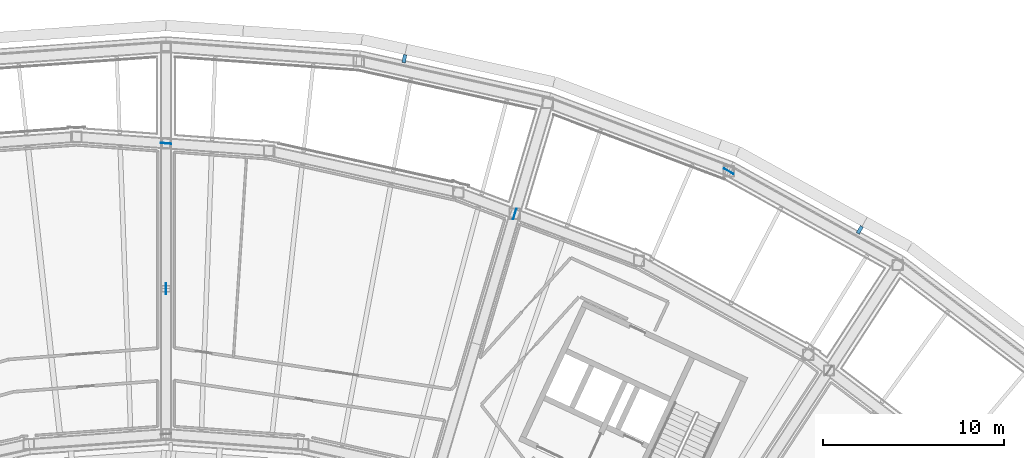
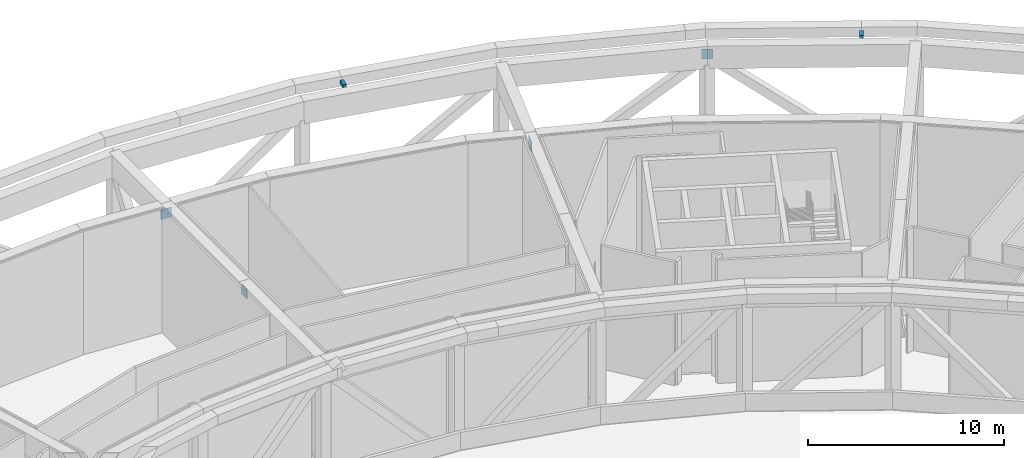
# One storey, part 20 of 27: 6 discrete accessories.
"""IFC4 building model written with IfcOpenShell, lengths in metres."""

import ifcopenshell
import ifcopenshell.guid

model = None  # the IFC model being written
_history = None  # IfcOwnerHistory: only IFC2X3 demands one
_inside = {}  # id of a spatial element -> (the spatial element, [elements in it])
_under = {}  # id of a project, library or spatial element -> (it, [spatial elements below it])
_declared = {}  # id of a project -> (the project, [libraries it declares])
_typed = {}  # id of a type object -> (the type object, [elements of that type])
_made_of = {}  # id of a material, layer set ... -> (it, [elements and type objects made of it])


def new_model(schema):
    """Start an empty IFC model of exactly this schema.

    Asked for "IFC4X3", IfcOpenShell would pick the latest addendum, in which some entities
    have other attributes; the version numbers below select the first issue.
    IFC2X3 requires an IfcOwnerHistory on every rooted entity: one is made here for all.
    """
    global model, _history
    if schema == "IFC4X3":
        model = ifcopenshell.file(schema_version=(4, 3, 0, 0))
    else:
        model = ifcopenshell.file(schema=schema)
    _inside.clear()
    _under.clear()
    _declared.clear()
    _typed.clear()
    _made_of.clear()
    _history = None
    if model.schema == "IFC2X3":
        org = make("IfcOrganization", Name="unknown")
        user = make(
            "IfcPersonAndOrganization",
            ThePerson=make("IfcPerson", FamilyName="unknown"),
            TheOrganization=org,
        )
        app = make(
            "IfcApplication",
            ApplicationDeveloper=org,
            Version="unknown",
            ApplicationFullName="unknown",
            ApplicationIdentifier="unknown",
        )
        _history = make(
            "IfcOwnerHistory",
            OwningUser=user,
            OwningApplication=app,
            ChangeAction="ADDED",
            CreationDate=0,
        )
    return model


def make(cls, **values):
    """One entity of the class cls with the attributes given. An attribute that is None is left unset."""
    return model.create_entity(
        cls, **{name: value for name, value in values.items() if value is not None}
    )


def rooted(cls, **values):
    """An entity with a GlobalId (a new one), such as an element, a storey or a relation."""
    return make(cls, GlobalId=ifcopenshell.guid.new(), OwnerHistory=_history, **values)


def si_unit(unit_type, name, prefix=None):
    """IfcSIUnit, for example si_unit("LENGTHUNIT", "METRE", prefix="MILLI")."""
    return make("IfcSIUnit", UnitType=unit_type, Prefix=prefix, Name=name)


def assignment(units):
    """IfcUnitAssignment: the units of a project."""
    return None if units is None else make("IfcUnitAssignment", Units=units)


def point(xyz):
    """IfcCartesianPoint."""
    return None if xyz is None else make("IfcCartesianPoint", Coordinates=xyz)


def direction(xyz):
    """IfcDirection."""
    return None if xyz is None else make("IfcDirection", DirectionRatios=xyz)


def frame(location, z_axis=None, x_axis=None):
    """IfcAxis2Placement3D, a coordinate frame: its origin and axes. An axis left out is left unset."""
    return make(
        "IfcAxis2Placement3D",
        Location=point(location),
        Axis=direction(z_axis),
        RefDirection=direction(x_axis),
    )


def frame_2d(location, x_axis=None):
    """IfcAxis2Placement2D, a coordinate frame in the plane: its origin and x axis."""
    return make(
        "IfcAxis2Placement2D", Location=point(location), RefDirection=direction(x_axis)
    )


def origin():
    """The frame at (0, 0, 0) with its axes left unset."""
    return frame((0.0, 0.0, 0.0))


def origin_2d():
    """The frame at (0, 0) in the plane with its x axis left unset."""
    return frame_2d((0.0, 0.0))


def place(relative_to, where):
    """IfcLocalPlacement: puts the frame where relative to a parent placement (None: the world)."""
    return make(
        "IfcLocalPlacement", PlacementRelTo=relative_to, RelativePlacement=where
    )


def context(
    kind, dimensions, precision=None, world=None, true_north=None, identifier=None
):
    """IfcGeometricRepresentationContext, for example the 3D "Model" context."""
    return make(
        "IfcGeometricRepresentationContext",
        ContextIdentifier=identifier,
        ContextType=kind,
        CoordinateSpaceDimension=dimensions,
        Precision=precision,
        WorldCoordinateSystem=world,
        TrueNorth=true_north,
    )


def subcontext(parent, identifier, kind, view, scale=None):
    """IfcGeometricRepresentationSubContext, for example "Body" below "Model"."""
    return make(
        "IfcGeometricRepresentationSubContext",
        ContextIdentifier=identifier,
        ContextType=kind,
        ParentContext=parent,
        TargetScale=scale,
        TargetView=view,
    )


def project(units=None, contexts=None):
    """IfcProject with its units and contexts."""
    return rooted(
        "IfcProject",
        Name="project",
        RepresentationContexts=contexts,
        UnitsInContext=assignment(units),
    )


def spatial(cls, under=None, at=None, **own):
    """A site, building, storey or space (cls), placed at a placement, below another one or the project."""
    s = rooted(cls, ObjectPlacement=at, **own)
    if under is not None:
        _under.setdefault(under.id(), (under, []))[1].append(s)
    return s


def profile(cls, at=None, kind="AREA", **sizes):
    """A parametric profile (cls). Its sizes go by their IFC names, for example OverallWidth=200.0."""
    return make(cls, ProfileType=kind, Position=at, **sizes)


def rectangle(**sizes):
    """IfcRectangleProfileDef."""
    return profile("IfcRectangleProfileDef", **sizes)


def extrude(swept, where, along, depth):
    """IfcExtrudedAreaSolid: the profile swept, set in the frame where, extruded along a direction by depth."""
    return make(
        "IfcExtrudedAreaSolid",
        SweptArea=swept,
        Position=where,
        ExtrudedDirection=direction(along),
        Depth=depth,
    )


def shape(context_of_items, identifier, shape_type, items):
    """IfcShapeRepresentation: the items that make up one representation, for example the "Body"."""
    return make(
        "IfcShapeRepresentation",
        ContextOfItems=context_of_items,
        RepresentationIdentifier=identifier,
        RepresentationType=shape_type,
        Items=items,
    )


def material(Name=None, Category=None):
    """IfcMaterial."""
    return make("IfcMaterial", Name=Name, Category=Category)


def made_of(thing, what):
    """Note that an element or type object is made of a material, layer set ...; save() writes the relation."""
    if what is not None:
        _made_of.setdefault(what.id(), (what, []))[1].append(thing)
    return thing


def type_object(cls, material=None, **own):
    """A type object (cls), such as IfcWallType, which elements share."""
    return made_of(rooted(cls, **own), material)


def element(
    cls,
    number,
    at=None,
    inside=None,
    cuts=None,
    type_object=None,
    material=None,
    context=None,
    identifier="Body",
    shape_type=None,
    held_by="IfcProductDefinitionShape",
    body=None,
    shapes=None,
    **own,
):
    """One element of the class cls, such as IfcWall. Its Tag is "e" and its number.

    at: its placement. inside: the storey or other place that contains it. cuts: it is an
    opening in that element (IfcRelVoidsElement). A single representation is given by context,
    identifier, shape_type and body (its items); several are given by shapes. held_by: the class
    of the entity that holds the representations. save() writes the other relations.
    """
    e = rooted(cls, Tag="e%d" % number, ObjectPlacement=at, **own)
    if body is not None:
        shapes = [shape(context, identifier, shape_type, body)]
    if shapes is not None:
        e.Representation = make(held_by, Representations=shapes)
    if inside is not None:
        _inside.setdefault(inside.id(), (inside, []))[1].append(e)
    if cuts is not None:
        rooted(
            "IfcRelVoidsElement", RelatingBuildingElement=cuts, RelatedOpeningElement=e
        )
    if type_object is not None:
        _typed.setdefault(type_object.id(), (type_object, []))[1].append(e)
    return made_of(e, material)


def aggregate(whole, parts):
    """IfcRelAggregates: a whole, such as a stair, and the parts it consists of."""
    return rooted("IfcRelAggregates", RelatingObject=whole, RelatedObjects=parts)


def save(model, path):
    """Write the relations noted so far, then the file.

    IfcRelAggregates (storeys below a building ...), IfcRelContainedInSpatialStructure (elements
    in a storey), IfcRelDefinesByType, IfcRelAssociatesMaterial and IfcRelDeclares: one each for
    every whole, place, type object, material and project.
    """
    for whole, parts in _under.values():
        aggregate(whole, parts)
    for where, things in _inside.values():
        rooted(
            "IfcRelContainedInSpatialStructure",
            RelatedElements=things,
            RelatingStructure=where,
        )
    for kind, things in _typed.values():
        rooted("IfcRelDefinesByType", RelatedObjects=things, RelatingType=kind)
    for what, things in _made_of.values():
        rooted("IfcRelAssociatesMaterial", RelatedObjects=things, RelatingMaterial=what)
    for by, libraries in _declared.values():
        rooted("IfcRelDeclares", RelatingContext=by, RelatedDefinitions=libraries)
    model.write(path)


model = new_model("IFC4")

# Units and contexts
model_context = context("Model", 3, precision=1e-05, world=origin(), true_north=direction((0.0, 1.0)))
body_context = subcontext(model_context, "Body", "Model", "MODEL_VIEW")
ifc_project = project(units=[si_unit("LENGTHUNIT", "METRE"), si_unit("AREAUNIT", "SQUARE_METRE"), si_unit("VOLUMEUNIT", "CUBIC_METRE"), si_unit("PLANEANGLEUNIT", "RADIAN"), si_unit("MASSUNIT", "GRAM", prefix="KILO")], contexts=[model_context])

# Site, building, storey
site_placement = place(None, origin())
site = spatial("IfcSite", under=ifc_project, at=site_placement, CompositionType="ELEMENT")
building_placement = place(site_placement, origin())
building = spatial("IfcBuilding", under=site, at=building_placement, Name="Tuul Gate Civic Tower", CompositionType="ELEMENT")
storey_placement = place(building_placement, frame((0.0, 0.0, 201.5)))
storey = spatial("IfcBuildingStorey", under=building, at=storey_placement, Name="Wind floor 1", CompositionType="ELEMENT", Elevation=201.5)

# Discrete accessories
ifc_material_1 = material(Name="Steel S355", Category="steel")
discrete_accessory_type_1 = type_object("IfcDiscreteAccessoryType", Name="Gusset plate", PredefinedType="BRACKET", material=ifc_material_1)
for number, where, z_axis, x_axis, name in (
    (1, (25.19091796875, 9.36474609375, 6.7041015625), (0.0, 0.0, 1.0), (0.285212112775, 0.958464423297, 0.0), "Gusset plate"),
    (2, (5.93994140625, 5.233642578125, 6.70361328125), (0.0, 0.0, 1.0), (0.0, 1.0, 0.0), "Gusset plate"),
    (3, (37.003173828125, 11.71923828125, 6.702880859375), (0.0, 0.0, 1.0), (0.874647197225, -0.484760023503, 0.0), "Gusset plate"),
    (4, (5.93994140625, 13.257080078125, 6.7041015625), (0.0, 0.0, 1.0), (0.997382544793, -0.072305320295, 0.0), "Gusset plate"),
):
    element("IfcDiscreteAccessory", number, at=place(storey_placement, frame(where, z_axis=z_axis, x_axis=x_axis)), inside=storey, type_object=discrete_accessory_type_1, Name=name, PredefinedType="BRACKET", context=body_context, shape_type="SweptSolid", body=[
        extrude(rectangle(XDim=0.60009765625, YDim=0.030029296875, at=origin_2d()), origin(), (0.0, 0.0, 1.0), 0.60009765625),
    ])
ifc_material_2 = material(Name="Stainless steel", Category="steel")
discrete_accessory_type_2 = type_object("IfcDiscreteAccessoryType", Name="Screen bracket", PredefinedType="BRACKET", material=ifc_material_2)
for number, where, z_axis, x_axis, name in (
    (5, (44.239013671875, 8.48095703125, 7.5498046875), (0.0, 0.0, 1.0), (0.514593682103, 0.857434162102, 0.0), "Screen bracket 4"),
    (6, (19.099609375, 17.931396484375, 7.5498046875), (0.0, 0.0, 1.0), (0.176818483308, 0.984243477987, 0.0), "Screen bracket 7"),
):
    element("IfcDiscreteAccessory", number, at=place(storey_placement, frame(where, z_axis=z_axis, x_axis=x_axis)), inside=storey, type_object=discrete_accessory_type_2, Name=name, PredefinedType="BRACKET", context=body_context, shape_type="SweptSolid", body=[
        extrude(rectangle(XDim=0.4501953125, YDim=0.199951171875, at=origin_2d()), origin(), (0.0, 0.0, 1.0), 0.199951171875),
    ])

save(model, "model.ifc")
